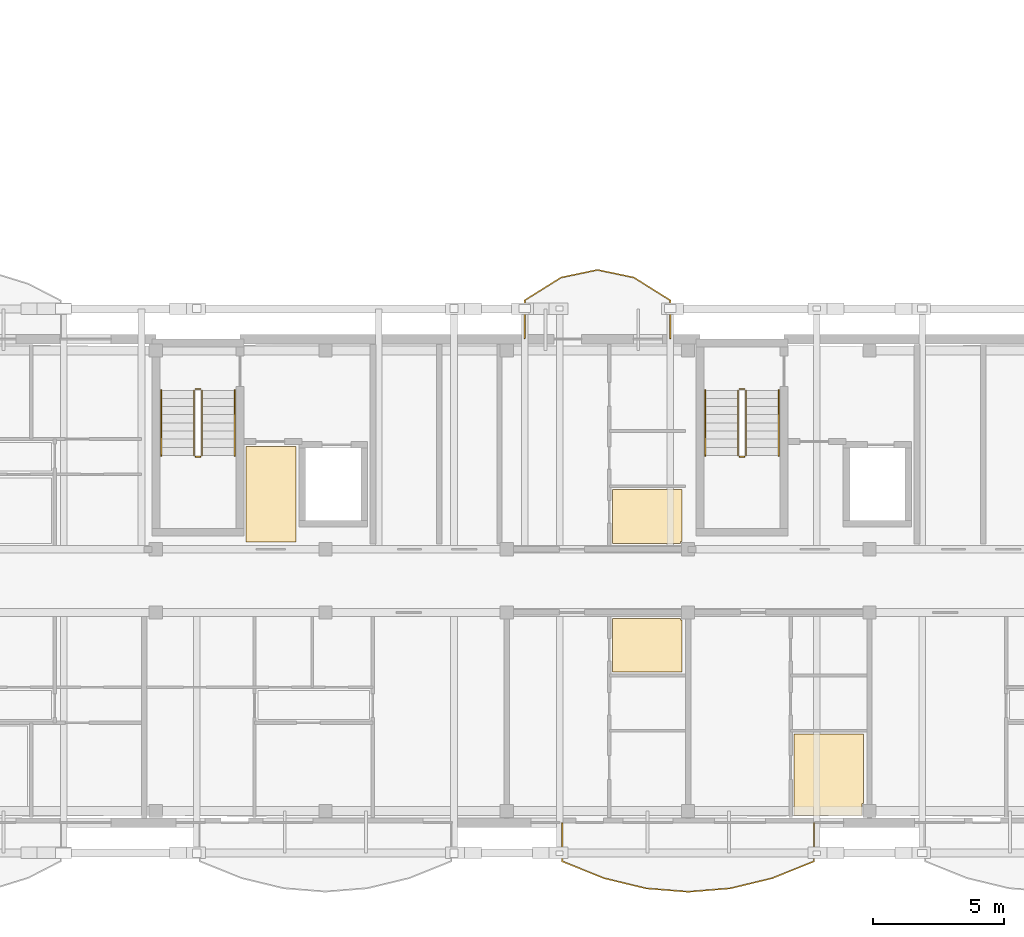
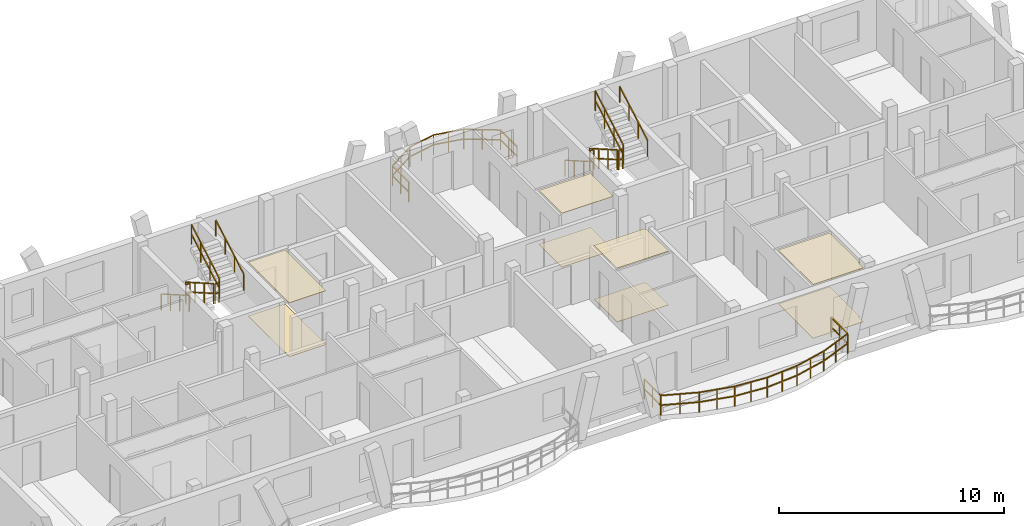
# One storey, part 47 of 50: 14 railings, 8 coverings.
"""IFC4 building model written with IfcOpenShell, lengths in metres."""

from ifc_helpers import new_model, si_unit, direction, frame, origin, origin_2d, place, context, subcontext, project, spatial, polyline, rectangle, outline, extrude, material, layer, layer_set, type_object, element, save


model = new_model("IFC4")

# Units and contexts
model_context = context("Model", 3, precision=1e-05, world=origin(), true_north=direction((0.0, 1.0)))
body_context = subcontext(model_context, "Body", "Model", "MODEL_VIEW")
ifc_project = project(units=[si_unit("LENGTHUNIT", "METRE"), si_unit("AREAUNIT", "SQUARE_METRE"), si_unit("VOLUMEUNIT", "CUBIC_METRE"), si_unit("PLANEANGLEUNIT", "RADIAN"), si_unit("MASSUNIT", "GRAM", prefix="KILO")], contexts=[model_context])

# Site, building, storey
site_placement = place(None, origin())
site = spatial("IfcSite", under=ifc_project, at=site_placement, CompositionType="ELEMENT")
building_placement = place(site_placement, origin())
building = spatial("IfcBuilding", under=site, at=building_placement, Name="Zavelmont Quarter", CompositionType="ELEMENT")
storey_placement = place(building_placement, frame((0.0, 0.0, 11.199951171875)))
storey = spatial("IfcBuildingStorey", under=building, at=storey_placement, Name="L03", CompositionType="ELEMENT", Elevation=11.199951171875)

# Coverings
ifc_material_1 = material(Name="Perforated acoustic gypsum board")
ifc_layer_1 = layer(ifc_material_1, 0.02490234375)
ifc_layer_set_1 = layer_set([ifc_layer_1], Name="Perforated acoustic gypsum board")
covering_type_1 = type_object("IfcCoveringType", Name="CV-CL01", PredefinedType="CEILING", material=ifc_layer_set_1)
covering_1_placement = place(storey_placement, frame((0.0, 0.0, 2.9150390625)))
element("IfcCovering", 1, at=covering_1_placement, inside=storey, type_object=covering_type_1, Name="L03 Lobby Vestibule acoustic ceiling", PredefinedType="CEILING", context=body_context, shape_type="SweptSolid", body=[
    extrude(outline(polyline([(130.47998046875, 14.320068359375), (132.3701171875, 14.320068359375), (132.3701171875, 10.679931640625), (130.47998046875, 10.679931640625), (130.47998046875, 14.320068359375)])), origin(), (0.0, 0.0, 1.0), 0.02490234375),
])
covering_2_placement = place(storey_placement, frame((0.0, 0.0, 2.9150390625)))
element("IfcCovering", 2, at=covering_2_placement, inside=storey, type_object=covering_type_1, Name="L03 Kitchen acoustic ceiling", PredefinedType="CEILING", context=body_context, shape_type="SweptSolid", body=[
    extrude(outline(polyline([(144.429931640625, 7.77001953125), (147.010009765625, 7.77001953125), (147.010009765625, 7.7099609375), (147.070068359375, 7.7099609375), (147.070068359375, 5.72998046875), (144.429931640625, 5.72998046875), (144.429931640625, 7.77001953125)])), origin(), (0.0, 0.0, 1.0), 0.02490234375),
])
covering_3_placement = place(storey_placement, frame((0.0, 0.0, 2.9150390625)))
element("IfcCovering", 3, at=covering_3_placement, inside=storey, type_object=covering_type_1, Name="L03 Single Bedroom acoustic ceiling", PredefinedType="CEILING", context=body_context, shape_type="SweptSolid", body=[
    extrude(outline(polyline([(151.330078125, 3.3701171875), (153.969970703125, 3.3701171875), (153.969970703125, 0.72998046875), (153.909912109375, 0.72998046875), (153.909912109375, 0.280029296875), (151.330078125, 0.280029296875), (151.330078125, 3.3701171875)])), origin(), (0.0, 0.0, 1.0), 0.02490234375),
])
covering_4_placement = place(storey_placement, frame((0.0, 0.0, 2.9150390625)))
element("IfcCovering", 4, at=covering_4_placement, inside=storey, type_object=covering_type_1, Name="L03 Kitchen acoustic ceiling", PredefinedType="CEILING", context=body_context, shape_type="SweptSolid", body=[
    extrude(outline(polyline([(144.429931640625, 12.669921875), (147.070068359375, 12.669921875), (147.070068359375, 10.68994140625), (147.010009765625, 10.68994140625), (147.010009765625, 10.6298828125), (144.429931640625, 10.6298828125), (144.429931640625, 12.669921875)])), origin(), (0.0, 0.0, 1.0), 0.02490234375),
])
ifc_material_2 = material(Name="Engineered European oak parquet")
ifc_layer_2 = layer(ifc_material_2, 0.02197265625)
ifc_layer_set_2 = layer_set([ifc_layer_2], Name="Engineered European oak parquet")
covering_type_2 = type_object("IfcCoveringType", Name="CV-FL01", PredefinedType="FLOORING", material=ifc_layer_set_2)
covering_5_placement = place(storey_placement, origin())
element("IfcCovering", 5, at=covering_5_placement, inside=storey, type_object=covering_type_2, Name="L03 Lobby Vestibule floor finish", PredefinedType="FLOORING", context=body_context, shape_type="SweptSolid", body=[
    extrude(outline(polyline([(130.47998046875, 14.320068359375), (132.3701171875, 14.320068359375), (132.3701171875, 10.679931640625), (130.47998046875, 10.679931640625), (130.47998046875, 14.320068359375)])), origin(), (0.0, 0.0, 1.0), 0.02197265625),
])
covering_6_placement = place(storey_placement, origin())
element("IfcCovering", 6, at=covering_6_placement, inside=storey, type_object=covering_type_2, Name="L03 Kitchen floor finish", PredefinedType="FLOORING", context=body_context, shape_type="SweptSolid", body=[
    extrude(outline(polyline([(144.429931640625, 7.77001953125), (147.010009765625, 7.77001953125), (147.010009765625, 7.7099609375), (147.070068359375, 7.7099609375), (147.070068359375, 5.72998046875), (144.429931640625, 5.72998046875), (144.429931640625, 7.77001953125)])), origin(), (0.0, 0.0, 1.0), 0.02197265625),
])
covering_7_placement = place(storey_placement, origin())
element("IfcCovering", 7, at=covering_7_placement, inside=storey, type_object=covering_type_2, Name="L03 Single Bedroom floor finish", PredefinedType="FLOORING", context=body_context, shape_type="SweptSolid", body=[
    extrude(outline(polyline([(151.330078125, 3.3701171875), (153.969970703125, 3.3701171875), (153.969970703125, 0.72998046875), (153.909912109375, 0.72998046875), (153.909912109375, 0.280029296875), (151.330078125, 0.280029296875), (151.330078125, 3.3701171875)])), origin(), (0.0, 0.0, 1.0), 0.02197265625),
])
covering_8_placement = place(storey_placement, origin())
element("IfcCovering", 8, at=covering_8_placement, inside=storey, type_object=covering_type_2, Name="L03 Kitchen floor finish", PredefinedType="FLOORING", context=body_context, shape_type="SweptSolid", body=[
    extrude(outline(polyline([(144.429931640625, 12.669921875), (147.070068359375, 12.669921875), (147.070068359375, 10.68994140625), (147.010009765625, 10.68994140625), (147.010009765625, 10.6298828125), (144.429931640625, 10.6298828125), (144.429931640625, 12.669921875)])), origin(), (0.0, 0.0, 1.0), 0.02197265625),
])

# Railings
ifc_material_3 = material(Name="Powder-coated steel and tempered double safety glass", Category="steel")
railing_type_1 = type_object("IfcRailingType", Name="RL-BAL1", PredefinedType="BALUSTRADE", material=ifc_material_3)
railing_1_placement = place(storey_placement, frame((142.5078125, -0.02001953125, 0.0)))
element("IfcRailing", 9, at=railing_1_placement, inside=storey, type_object=railing_type_1, Name="L03 Block D curved balcony guard RL-BAL1", PredefinedType="BALUSTRADE", context=body_context, shape_type="SweptSolid", body=[
    extrude(rectangle(XDim=0.048095703125, YDim=0.048095703125, at=origin_2d()), frame((0.0, 0.0, 1.076171875), z_axis=(0.0, -1.0, 0.0), x_axis=(1.0, 0.0, 0.0)), (0.0, 0.0, 1.0), 1.453857421875),
    extrude(rectangle(XDim=0.048095703125, YDim=0.048095703125, at=origin_2d()), frame((0.0, 0.0, 0.550048828125), z_axis=(0.0, -1.0, 0.0), x_axis=(1.0, 0.0, 0.0)), (0.0, 0.0, 1.0), 1.453857421875),
    extrude(rectangle(XDim=0.048095703125, YDim=0.048095703125, at=origin_2d()), frame((0.0, -1.453857421875, 1.076171875), z_axis=(0.92758417707, -0.373614232128, 0.0), x_axis=(0.373614232128, 0.92758417707, 0.0)), (0.0, 0.0, 1.0), 1.721923828125),
    extrude(rectangle(XDim=0.048095703125, YDim=0.048095703125, at=origin_2d()), frame((0.0, -1.453857421875, 0.550048828125), z_axis=(0.92758417707, -0.373614232128, 0.0), x_axis=(0.373614232128, 0.92758417707, 0.0)), (0.0, 0.0, 1.0), 1.721923828125),
    extrude(rectangle(XDim=0.048095703125, YDim=0.048095703125, at=origin_2d()), frame((1.59716796875, -2.09716796875, 1.076171875), z_axis=(0.972000372905, -0.234979307753, 0.0), x_axis=(0.234979307753, 0.972000372905, 0.0)), (0.0, 0.0, 1.0), 1.643798828125),
    extrude(rectangle(XDim=0.048095703125, YDim=0.048095703125, at=origin_2d()), frame((1.59716796875, -2.09716796875, 0.550048828125), z_axis=(0.972000372905, -0.234979307753, 0.0), x_axis=(0.234979307753, 0.972000372905, 0.0)), (0.0, 0.0, 1.0), 1.643798828125),
    extrude(rectangle(XDim=0.048095703125, YDim=0.048095703125, at=origin_2d()), frame((3.19482421875, -2.4833984375, 1.076171875), z_axis=(0.996772021854, -0.080284098352, 0.0), x_axis=(0.080284098352, 0.996772021854, 0.0)), (0.0, 0.0, 1.0), 1.6025390625),
    extrude(rectangle(XDim=0.048095703125, YDim=0.048095703125, at=origin_2d()), frame((3.19482421875, -2.4833984375, 0.550048828125), z_axis=(0.996772021854, -0.080284098352, 0.0), x_axis=(0.080284098352, 0.996772021854, 0.0)), (0.0, 0.0, 1.0), 1.6025390625),
    extrude(rectangle(XDim=0.048095703125, YDim=0.048095703125, at=origin_2d()), frame((4.792236328125, -2.612060546875, 1.076171875), z_axis=(0.996772021854, 0.080284098352, 0.0), x_axis=(-0.080284098352, 0.996772021854, 0.0)), (0.0, 0.0, 1.0), 1.6025390625),
    extrude(rectangle(XDim=0.048095703125, YDim=0.048095703125, at=origin_2d()), frame((4.792236328125, -2.612060546875, 0.550048828125), z_axis=(0.996772021854, 0.080284098352, 0.0), x_axis=(-0.080284098352, 0.996772021854, 0.0)), (0.0, 0.0, 1.0), 1.6025390625),
    extrude(rectangle(XDim=0.048095703125, YDim=0.048095703125, at=origin_2d()), frame((6.3896484375, -2.4833984375, 1.076171875), z_axis=(0.971992169835, 0.235013237457, 0.0), x_axis=(-0.235013237457, 0.971992169835, 0.0)), (0.0, 0.0, 1.0), 1.6435546875),
    extrude(rectangle(XDim=0.048095703125, YDim=0.048095703125, at=origin_2d()), frame((6.3896484375, -2.4833984375, 0.550048828125), z_axis=(0.971992169835, 0.235013237457, 0.0), x_axis=(-0.235013237457, 0.971992169835, 0.0)), (0.0, 0.0, 1.0), 1.6435546875),
    extrude(rectangle(XDim=0.048095703125, YDim=0.048095703125, at=origin_2d()), frame((7.987060546875, -2.09716796875, 1.076171875), z_axis=(0.927603965163, 0.373565099833, 0.0), x_axis=(-0.373565099833, 0.927603965163, 0.0)), (0.0, 0.0, 1.0), 1.72216796875),
    extrude(rectangle(XDim=0.048095703125, YDim=0.048095703125, at=origin_2d()), frame((7.987060546875, -2.09716796875, 0.550048828125), z_axis=(0.927603965163, 0.373565099833, 0.0), x_axis=(-0.373565099833, 0.927603965163, 0.0)), (0.0, 0.0, 1.0), 1.72216796875),
    extrude(rectangle(XDim=0.048095703125, YDim=0.048095703125, at=origin_2d()), frame((9.58447265625, -1.453857421875, 1.076171875), z_axis=(0.0, 1.0, 0.0), x_axis=(-1.0, 0.0, 0.0)), (0.0, 0.0, 1.0), 1.453857421875),
    extrude(rectangle(XDim=0.048095703125, YDim=0.048095703125, at=origin_2d()), frame((9.58447265625, -1.453857421875, 0.550048828125), z_axis=(0.0, 1.0, 0.0), x_axis=(-1.0, 0.0, 0.0)), (0.0, 0.0, 1.0), 1.453857421875),
    extrude(rectangle(XDim=0.0419921875, YDim=0.0419921875, at=origin_2d()), origin(), (0.0, 0.0, 1.0), 1.052001953125),
    extrude(rectangle(XDim=0.0419921875, YDim=0.0419921875, at=origin_2d()), frame((0.0, -0.72705078125, 0.0)), (0.0, 0.0, 1.0), 1.052001953125),
    extrude(rectangle(XDim=0.0419921875, YDim=0.0419921875, at=origin_2d()), frame((0.0, -1.453857421875, 0.0)), (0.0, 0.0, 1.0), 1.052001953125),
    extrude(rectangle(XDim=0.0419921875, YDim=0.0419921875, at=origin_2d()), frame((0.798583984375, -1.775390625, 0.0)), (0.0, 0.0, 1.0), 1.052001953125),
    extrude(rectangle(XDim=0.0419921875, YDim=0.0419921875, at=origin_2d()), frame((1.59716796875, -2.09716796875, 0.0)), (0.0, 0.0, 1.0), 1.052001953125),
    extrude(rectangle(XDim=0.0419921875, YDim=0.0419921875, at=origin_2d()), frame((2.39599609375, -2.290283203125, 0.0)), (0.0, 0.0, 1.0), 1.052001953125),
    extrude(rectangle(XDim=0.0419921875, YDim=0.0419921875, at=origin_2d()), frame((3.19482421875, -2.4833984375, 0.0)), (0.0, 0.0, 1.0), 1.052001953125),
    extrude(rectangle(XDim=0.0419921875, YDim=0.0419921875, at=origin_2d()), frame((3.99365234375, -2.5478515625, 0.0)), (0.0, 0.0, 1.0), 1.052001953125),
    extrude(rectangle(XDim=0.0419921875, YDim=0.0419921875, at=origin_2d()), frame((4.792236328125, -2.612060546875, 0.0)), (0.0, 0.0, 1.0), 1.052001953125),
    extrude(rectangle(XDim=0.0419921875, YDim=0.0419921875, at=origin_2d()), frame((5.5908203125, -2.5478515625, 0.0)), (0.0, 0.0, 1.0), 1.052001953125),
    extrude(rectangle(XDim=0.0419921875, YDim=0.0419921875, at=origin_2d()), frame((6.3896484375, -2.4833984375, 0.0)), (0.0, 0.0, 1.0), 1.052001953125),
    extrude(rectangle(XDim=0.0419921875, YDim=0.0419921875, at=origin_2d()), frame((7.1884765625, -2.290283203125, 0.0)), (0.0, 0.0, 1.0), 1.052001953125),
    extrude(rectangle(XDim=0.0419921875, YDim=0.0419921875, at=origin_2d()), frame((7.987060546875, -2.09716796875, 0.0)), (0.0, 0.0, 1.0), 1.052001953125),
    extrude(rectangle(XDim=0.0419921875, YDim=0.0419921875, at=origin_2d()), frame((8.78564453125, -1.775390625, 0.0)), (0.0, 0.0, 1.0), 1.052001953125),
    extrude(rectangle(XDim=0.0419921875, YDim=0.0419921875, at=origin_2d()), frame((9.58447265625, -1.453857421875, 0.0)), (0.0, 0.0, 1.0), 1.052001953125),
    extrude(rectangle(XDim=0.0419921875, YDim=0.0419921875, at=origin_2d()), frame((9.58447265625, -0.72705078125, 0.0)), (0.0, 0.0, 1.0), 1.052001953125),
    extrude(rectangle(XDim=0.0419921875, YDim=0.0419921875, at=origin_2d()), frame((9.58447265625, 0.0, 0.0)), (0.0, 0.0, 1.0), 1.052001953125),
])
railing_2_placement = place(storey_placement, frame((146.620849609375, 18.419921875, 0.0)))
element("IfcRailing", 10, at=railing_2_placement, inside=storey, type_object=railing_type_1, Name="L03 Block D curved balcony guard RL-BAL1", PredefinedType="BALUSTRADE", context=body_context, shape_type="SweptSolid", body=[
    extrude(rectangle(XDim=0.048095703125, YDim=0.048095703125, at=origin_2d()), frame((0.0, 0.0, 1.076171875), z_axis=(0.0, 1.0, 0.0), x_axis=(-1.0, 0.0, 0.0)), (0.0, 0.0, 1.0), 1.453857421875),
    extrude(rectangle(XDim=0.048095703125, YDim=0.048095703125, at=origin_2d()), frame((0.0, 0.0, 0.550048828125), z_axis=(0.0, 1.0, 0.0), x_axis=(-1.0, 0.0, 0.0)), (0.0, 0.0, 1.0), 1.453857421875),
    extrude(rectangle(XDim=0.048095703125, YDim=0.048095703125, at=origin_2d()), frame((0.0, 1.453857421875, 1.076171875), z_axis=(-0.847250986265, 0.531192776939, 0.0), x_axis=(-0.531192776939, -0.847250986265, 0.0)), (0.0, 0.0, 1.0), 1.63525390625),
    extrude(rectangle(XDim=0.048095703125, YDim=0.048095703125, at=origin_2d()), frame((0.0, 1.453857421875, 0.550048828125), z_axis=(-0.847250986265, 0.531192776939, 0.0), x_axis=(-0.531192776939, -0.847250986265, 0.0)), (0.0, 0.0, 1.0), 1.63525390625),
    extrude(rectangle(XDim=0.048095703125, YDim=0.048095703125, at=origin_2d()), frame((-1.385498046875, 2.322509765625, 1.076171875), z_axis=(-0.978845294327, 0.204601783411, 0.0), x_axis=(-0.204601783411, -0.978845294327, 0.0)), (0.0, 0.0, 1.0), 1.415283203125),
    extrude(rectangle(XDim=0.048095703125, YDim=0.048095703125, at=origin_2d()), frame((-1.385498046875, 2.322509765625, 0.550048828125), z_axis=(-0.978845294327, 0.204601783411, 0.0), x_axis=(-0.204601783411, -0.978845294327, 0.0)), (0.0, 0.0, 1.0), 1.415283203125),
    extrude(rectangle(XDim=0.048095703125, YDim=0.048095703125, at=origin_2d()), frame((-2.770751953125, 2.612060546875, 1.076171875), z_axis=(-0.978852514266, -0.204567239105, 0.0), x_axis=(0.204567239105, -0.978852514266, 0.0)), (0.0, 0.0, 1.0), 1.41552734375),
    extrude(rectangle(XDim=0.048095703125, YDim=0.048095703125, at=origin_2d()), frame((-2.770751953125, 2.612060546875, 0.550048828125), z_axis=(-0.978852514266, -0.204567239105, 0.0), x_axis=(0.204567239105, -0.978852514266, 0.0)), (0.0, 0.0, 1.0), 1.41552734375),
    extrude(rectangle(XDim=0.048095703125, YDim=0.048095703125, at=origin_2d()), frame((-4.15625, 2.322509765625, 1.076171875), z_axis=(-0.847250986265, -0.531192776939, 0.0), x_axis=(0.531192776939, -0.847250986265, 0.0)), (0.0, 0.0, 1.0), 1.63525390625),
    extrude(rectangle(XDim=0.048095703125, YDim=0.048095703125, at=origin_2d()), frame((-4.15625, 2.322509765625, 0.550048828125), z_axis=(-0.847250986265, -0.531192776939, 0.0), x_axis=(0.531192776939, -0.847250986265, 0.0)), (0.0, 0.0, 1.0), 1.63525390625),
    extrude(rectangle(XDim=0.048095703125, YDim=0.048095703125, at=origin_2d()), frame((-5.541748046875, 1.453857421875, 1.076171875), z_axis=(0.0, -1.0, 0.0), x_axis=(1.0, 0.0, 0.0)), (0.0, 0.0, 1.0), 1.453857421875),
    extrude(rectangle(XDim=0.048095703125, YDim=0.048095703125, at=origin_2d()), frame((-5.541748046875, 1.453857421875, 0.550048828125), z_axis=(0.0, -1.0, 0.0), x_axis=(1.0, 0.0, 0.0)), (0.0, 0.0, 1.0), 1.453857421875),
    extrude(rectangle(XDim=0.0419921875, YDim=0.0419921875, at=origin_2d()), origin(), (0.0, 0.0, 1.0), 1.052001953125),
    extrude(rectangle(XDim=0.0419921875, YDim=0.0419921875, at=origin_2d()), frame((0.0, 0.72705078125, 0.0)), (0.0, 0.0, 1.0), 1.052001953125),
    extrude(rectangle(XDim=0.0419921875, YDim=0.0419921875, at=origin_2d()), frame((0.0, 1.453857421875, 0.0)), (0.0, 0.0, 1.0), 1.052001953125),
    extrude(rectangle(XDim=0.0419921875, YDim=0.0419921875, at=origin_2d()), frame((-0.69287109375, 1.88818359375, 0.0)), (0.0, 0.0, 1.0), 1.052001953125),
    extrude(rectangle(XDim=0.0419921875, YDim=0.0419921875, at=origin_2d()), frame((-1.385498046875, 2.322509765625, 0.0)), (0.0, 0.0, 1.0), 1.052001953125),
    extrude(rectangle(XDim=0.0419921875, YDim=0.0419921875, at=origin_2d()), frame((-2.078125, 2.46728515625, 0.0)), (0.0, 0.0, 1.0), 1.052001953125),
    extrude(rectangle(XDim=0.0419921875, YDim=0.0419921875, at=origin_2d()), frame((-2.770751953125, 2.612060546875, 0.0)), (0.0, 0.0, 1.0), 1.052001953125),
    extrude(rectangle(XDim=0.0419921875, YDim=0.0419921875, at=origin_2d()), frame((-3.46337890625, 2.46728515625, 0.0)), (0.0, 0.0, 1.0), 1.052001953125),
    extrude(rectangle(XDim=0.0419921875, YDim=0.0419921875, at=origin_2d()), frame((-4.15625, 2.322509765625, 0.0)), (0.0, 0.0, 1.0), 1.052001953125),
    extrude(rectangle(XDim=0.0419921875, YDim=0.0419921875, at=origin_2d()), frame((-4.84912109375, 1.88818359375, 0.0)), (0.0, 0.0, 1.0), 1.052001953125),
    extrude(rectangle(XDim=0.0419921875, YDim=0.0419921875, at=origin_2d()), frame((-5.541748046875, 1.453857421875, 0.0)), (0.0, 0.0, 1.0), 1.052001953125),
    extrude(rectangle(XDim=0.0419921875, YDim=0.0419921875, at=origin_2d()), frame((-5.541748046875, 0.72705078125, 0.0)), (0.0, 0.0, 1.0), 1.052001953125),
    extrude(rectangle(XDim=0.0419921875, YDim=0.0419921875, at=origin_2d()), frame((-5.541748046875, 0.0, 0.0)), (0.0, 0.0, 1.0), 1.052001953125),
])
ifc_material_4 = material(Name="Powder-coated steel stair guardrail", Category="steel")
railing_type_2 = type_object("IfcRailingType", Name="RL-GRD1", PredefinedType="GUARDRAIL", material=ifc_material_4)
railing_3_placement = place(storey_placement, frame((128.5, 16.449951171875, 0.177734375)))
element("IfcRailing", 11, at=railing_3_placement, inside=storey, type_object=railing_type_2, Name="L03 ST07 stair guardrail 1", PredefinedType="GUARDRAIL", context=body_context, shape_type="SweptSolid", body=[
    extrude(rectangle(XDim=0.048095703125, YDim=0.048095703125, at=origin_2d()), frame((0.0, 0.0, 1.076171875), z_axis=(0.0, -0.867453774394, 0.497517787913), x_axis=(1.0, 0.0, 0.0)), (0.0, 0.0, 1.0), 2.85888671875),
    extrude(rectangle(XDim=0.048095703125, YDim=0.048095703125, at=origin_2d()), frame((0.0, 0.0, 0.550048828125), z_axis=(0.0, -0.867453774394, 0.497517787913), x_axis=(1.0, 0.0, 0.0)), (0.0, 0.0, 1.0), 2.85888671875),
    extrude(rectangle(XDim=0.0419921875, YDim=0.0419921875, at=origin_2d()), origin(), (0.0, 0.0, 1.0), 1.052001953125),
    extrude(rectangle(XDim=0.0419921875, YDim=0.0419921875, at=origin_2d()), frame((0.0, -0.82666015625, 0.47412109375)), (0.0, 0.0, 1.0), 1.052001953125),
    extrude(rectangle(XDim=0.0419921875, YDim=0.0419921875, at=origin_2d()), frame((0.0, -1.6533203125, 0.9482421875)), (0.0, 0.0, 1.0), 1.052001953125),
    extrude(rectangle(XDim=0.0419921875, YDim=0.0419921875, at=origin_2d()), frame((0.0, -2.47998046875, 1.42236328125)), (0.0, 0.0, 1.0), 1.052001953125),
])
railing_4_placement = place(storey_placement, frame((128.550048828125, 13.919921875, 1.60009765625)))
element("IfcRailing", 12, at=railing_4_placement, inside=storey, type_object=railing_type_2, Name="L03 ST07 stair guardrail 2", PredefinedType="GUARDRAIL", context=body_context, shape_type="SweptSolid", body=[
    extrude(rectangle(XDim=0.048095703125, YDim=0.048095703125, at=origin_2d()), frame((0.0, 0.0, 1.076171875), z_axis=(1.0, 0.0, 0.0), x_axis=(0.0, 1.0, 0.0)), (0.0, 0.0, 1.0), 0.199951171875),
    extrude(rectangle(XDim=0.048095703125, YDim=0.048095703125, at=origin_2d()), frame((0.0, 0.0, 0.550048828125), z_axis=(1.0, 0.0, 0.0), x_axis=(0.0, 1.0, 0.0)), (0.0, 0.0, 1.0), 0.199951171875),
    extrude(rectangle(XDim=0.0419921875, YDim=0.0419921875, at=origin_2d()), origin(), (0.0, 0.0, 1.0), 1.052001953125),
    extrude(rectangle(XDim=0.0419921875, YDim=0.0419921875, at=origin_2d()), frame((0.199951171875, 0.0, 0.0)), (0.0, 0.0, 1.0), 1.052001953125),
])
railing_5_placement = place(storey_placement, frame((128.800048828125, 13.969970703125, 1.77783203125)))
element("IfcRailing", 13, at=railing_5_placement, inside=storey, type_object=railing_type_2, Name="L03 ST07 stair guardrail 3", PredefinedType="GUARDRAIL", context=body_context, shape_type="SweptSolid", body=[
    extrude(rectangle(XDim=0.048095703125, YDim=0.048095703125, at=origin_2d()), frame((0.0, 0.0, 1.076171875), z_axis=(0.0, 0.867490628297, 0.497453525283), x_axis=(-1.0, 0.0, 0.0)), (0.0, 0.0, 1.0), 2.85888671875),
    extrude(rectangle(XDim=0.048095703125, YDim=0.048095703125, at=origin_2d()), frame((0.0, 0.0, 0.550048828125), z_axis=(0.0, 0.867490628297, 0.497453525283), x_axis=(-1.0, 0.0, 0.0)), (0.0, 0.0, 1.0), 2.85888671875),
    extrude(rectangle(XDim=0.0419921875, YDim=0.0419921875, at=origin_2d()), origin(), (0.0, 0.0, 1.0), 1.052001953125),
    extrude(rectangle(XDim=0.0419921875, YDim=0.0419921875, at=origin_2d()), frame((0.0, 0.82666015625, 0.47412109375)), (0.0, 0.0, 1.0), 1.052001953125),
    extrude(rectangle(XDim=0.0419921875, YDim=0.0419921875, at=origin_2d()), frame((0.0, 1.6533203125, 0.947998046875)), (0.0, 0.0, 1.0), 1.052001953125),
    extrude(rectangle(XDim=0.0419921875, YDim=0.0419921875, at=origin_2d()), frame((0.0, 2.47998046875, 1.422119140625)), (0.0, 0.0, 1.0), 1.052001953125),
])
railing_6_placement = place(storey_placement, frame((128.550048828125, 16.5, 0.0)))
element("IfcRailing", 14, at=railing_6_placement, inside=storey, type_object=railing_type_2, Name="L03 ST07 stair guardrail 4", PredefinedType="GUARDRAIL", context=body_context, shape_type="SweptSolid", body=[
    extrude(rectangle(XDim=0.048095703125, YDim=0.048095703125, at=origin_2d()), frame((0.0, 0.0, 1.076171875), z_axis=(1.0, 0.0, 0.0), x_axis=(0.0, 1.0, 0.0)), (0.0, 0.0, 1.0), 0.199951171875),
    extrude(rectangle(XDim=0.048095703125, YDim=0.048095703125, at=origin_2d()), frame((0.0, 0.0, 0.550048828125), z_axis=(1.0, 0.0, 0.0), x_axis=(0.0, 1.0, 0.0)), (0.0, 0.0, 1.0), 0.199951171875),
    extrude(rectangle(XDim=0.0419921875, YDim=0.0419921875, at=origin_2d()), origin(), (0.0, 0.0, 1.0), 1.052001953125),
    extrude(rectangle(XDim=0.0419921875, YDim=0.0419921875, at=origin_2d()), frame((0.199951171875, 0.0, 0.0)), (0.0, 0.0, 1.0), 1.052001953125),
])
railing_7_placement = place(storey_placement, frame((149.199951171875, 16.449951171875, 0.177734375)))
element("IfcRailing", 15, at=railing_7_placement, inside=storey, type_object=railing_type_2, Name="L03 ST08 stair guardrail 1", PredefinedType="GUARDRAIL", context=body_context, shape_type="SweptSolid", body=[
    extrude(rectangle(XDim=0.048095703125, YDim=0.048095703125, at=origin_2d()), frame((0.0, 0.0, 1.076171875), z_axis=(0.0, -0.867453774394, 0.497517787913), x_axis=(1.0, 0.0, 0.0)), (0.0, 0.0, 1.0), 2.85888671875),
    extrude(rectangle(XDim=0.048095703125, YDim=0.048095703125, at=origin_2d()), frame((0.0, 0.0, 0.550048828125), z_axis=(0.0, -0.867453774394, 0.497517787913), x_axis=(1.0, 0.0, 0.0)), (0.0, 0.0, 1.0), 2.85888671875),
    extrude(rectangle(XDim=0.0419921875, YDim=0.0419921875, at=origin_2d()), origin(), (0.0, 0.0, 1.0), 1.052001953125),
    extrude(rectangle(XDim=0.0419921875, YDim=0.0419921875, at=origin_2d()), frame((0.0, -0.82666015625, 0.47412109375)), (0.0, 0.0, 1.0), 1.052001953125),
    extrude(rectangle(XDim=0.0419921875, YDim=0.0419921875, at=origin_2d()), frame((0.0, -1.6533203125, 0.9482421875)), (0.0, 0.0, 1.0), 1.052001953125),
    extrude(rectangle(XDim=0.0419921875, YDim=0.0419921875, at=origin_2d()), frame((0.0, -2.47998046875, 1.42236328125)), (0.0, 0.0, 1.0), 1.052001953125),
])
railing_8_placement = place(storey_placement, frame((149.25, 13.919921875, 1.60009765625)))
element("IfcRailing", 16, at=railing_8_placement, inside=storey, type_object=railing_type_2, Name="L03 ST08 stair guardrail 2", PredefinedType="GUARDRAIL", context=body_context, shape_type="SweptSolid", body=[
    extrude(rectangle(XDim=0.048095703125, YDim=0.048095703125, at=origin_2d()), frame((0.0, 0.0, 1.076171875), z_axis=(1.0, 0.0, 0.0), x_axis=(0.0, 1.0, 0.0)), (0.0, 0.0, 1.0), 0.199951171875),
    extrude(rectangle(XDim=0.048095703125, YDim=0.048095703125, at=origin_2d()), frame((0.0, 0.0, 0.550048828125), z_axis=(1.0, 0.0, 0.0), x_axis=(0.0, 1.0, 0.0)), (0.0, 0.0, 1.0), 0.199951171875),
    extrude(rectangle(XDim=0.0419921875, YDim=0.0419921875, at=origin_2d()), origin(), (0.0, 0.0, 1.0), 1.052001953125),
    extrude(rectangle(XDim=0.0419921875, YDim=0.0419921875, at=origin_2d()), frame((0.199951171875, 0.0, 0.0)), (0.0, 0.0, 1.0), 1.052001953125),
])
railing_9_placement = place(storey_placement, frame((149.5, 13.969970703125, 1.77783203125)))
element("IfcRailing", 17, at=railing_9_placement, inside=storey, type_object=railing_type_2, Name="L03 ST08 stair guardrail 3", PredefinedType="GUARDRAIL", context=body_context, shape_type="SweptSolid", body=[
    extrude(rectangle(XDim=0.048095703125, YDim=0.048095703125, at=origin_2d()), frame((0.0, 0.0, 1.076171875), z_axis=(0.0, 0.867490628297, 0.497453525283), x_axis=(-1.0, 0.0, 0.0)), (0.0, 0.0, 1.0), 2.85888671875),
    extrude(rectangle(XDim=0.048095703125, YDim=0.048095703125, at=origin_2d()), frame((0.0, 0.0, 0.550048828125), z_axis=(0.0, 0.867490628297, 0.497453525283), x_axis=(-1.0, 0.0, 0.0)), (0.0, 0.0, 1.0), 2.85888671875),
    extrude(rectangle(XDim=0.0419921875, YDim=0.0419921875, at=origin_2d()), origin(), (0.0, 0.0, 1.0), 1.052001953125),
    extrude(rectangle(XDim=0.0419921875, YDim=0.0419921875, at=origin_2d()), frame((0.0, 0.82666015625, 0.47412109375)), (0.0, 0.0, 1.0), 1.052001953125),
    extrude(rectangle(XDim=0.0419921875, YDim=0.0419921875, at=origin_2d()), frame((0.0, 1.6533203125, 0.947998046875)), (0.0, 0.0, 1.0), 1.052001953125),
    extrude(rectangle(XDim=0.0419921875, YDim=0.0419921875, at=origin_2d()), frame((0.0, 2.47998046875, 1.422119140625)), (0.0, 0.0, 1.0), 1.052001953125),
])
railing_10_placement = place(storey_placement, frame((149.25, 16.5, 0.0)))
element("IfcRailing", 18, at=railing_10_placement, inside=storey, type_object=railing_type_2, Name="L03 ST08 stair guardrail 4", PredefinedType="GUARDRAIL", context=body_context, shape_type="SweptSolid", body=[
    extrude(rectangle(XDim=0.048095703125, YDim=0.048095703125, at=origin_2d()), frame((0.0, 0.0, 1.076171875), z_axis=(1.0, 0.0, 0.0), x_axis=(0.0, 1.0, 0.0)), (0.0, 0.0, 1.0), 0.199951171875),
    extrude(rectangle(XDim=0.048095703125, YDim=0.048095703125, at=origin_2d()), frame((0.0, 0.0, 0.550048828125), z_axis=(1.0, 0.0, 0.0), x_axis=(0.0, 1.0, 0.0)), (0.0, 0.0, 1.0), 0.199951171875),
    extrude(rectangle(XDim=0.0419921875, YDim=0.0419921875, at=origin_2d()), origin(), (0.0, 0.0, 1.0), 1.052001953125),
    extrude(rectangle(XDim=0.0419921875, YDim=0.0419921875, at=origin_2d()), frame((0.199951171875, 0.0, 0.0)), (0.0, 0.0, 1.0), 1.052001953125),
])
ifc_material_5 = material(Name="Brushed stainless-steel wall handrail", Category="steel")
railing_type_3 = type_object("IfcRailingType", Name="RL-HND1", PredefinedType="HANDRAIL", material=ifc_material_5)
railing_11_placement = place(storey_placement, frame((127.25, 16.449951171875, 0.177734375)))
element("IfcRailing", 19, at=railing_11_placement, inside=storey, type_object=railing_type_3, Name="L03 ST07 stair handrail 1", PredefinedType="HANDRAIL", context=body_context, shape_type="SweptSolid", body=[
    extrude(rectangle(XDim=0.048095703125, YDim=0.048095703125, at=origin_2d()), frame((0.0, 0.0, 0.8759765625), z_axis=(0.0, -0.867453774394, 0.497517787913), x_axis=(1.0, 0.0, 0.0)), (0.0, 0.0, 1.0), 2.85888671875),
    extrude(rectangle(XDim=0.0419921875, YDim=0.0419921875, at=origin_2d()), origin(), (0.0, 0.0, 1.0), 0.851806640625),
    extrude(rectangle(XDim=0.0419921875, YDim=0.0419921875, at=origin_2d()), frame((0.0, -0.82666015625, 0.47412109375)), (0.0, 0.0, 1.0), 0.851806640625),
    extrude(rectangle(XDim=0.0419921875, YDim=0.0419921875, at=origin_2d()), frame((0.0, -1.6533203125, 0.9482421875)), (0.0, 0.0, 1.0), 0.851806640625),
    extrude(rectangle(XDim=0.0419921875, YDim=0.0419921875, at=origin_2d()), frame((0.0, -2.47998046875, 1.42236328125)), (0.0, 0.0, 1.0), 0.851806640625),
])
railing_12_placement = place(storey_placement, frame((130.050048828125, 13.969970703125, 1.77783203125)))
element("IfcRailing", 20, at=railing_12_placement, inside=storey, type_object=railing_type_3, Name="L03 ST07 stair handrail 2", PredefinedType="HANDRAIL", context=body_context, shape_type="SweptSolid", body=[
    extrude(rectangle(XDim=0.048095703125, YDim=0.048095703125, at=origin_2d()), frame((0.0, 0.0, 0.8759765625), z_axis=(0.0, 0.867490628297, 0.497453525283), x_axis=(-1.0, 0.0, 0.0)), (0.0, 0.0, 1.0), 2.85888671875),
    extrude(rectangle(XDim=0.0419921875, YDim=0.0419921875, at=origin_2d()), origin(), (0.0, 0.0, 1.0), 0.851806640625),
    extrude(rectangle(XDim=0.0419921875, YDim=0.0419921875, at=origin_2d()), frame((0.0, 0.82666015625, 0.47412109375)), (0.0, 0.0, 1.0), 0.851806640625),
    extrude(rectangle(XDim=0.0419921875, YDim=0.0419921875, at=origin_2d()), frame((0.0, 1.6533203125, 0.947998046875)), (0.0, 0.0, 1.0), 0.851806640625),
    extrude(rectangle(XDim=0.0419921875, YDim=0.0419921875, at=origin_2d()), frame((0.0, 2.47998046875, 1.422119140625)), (0.0, 0.0, 1.0), 0.851806640625),
])
railing_13_placement = place(storey_placement, frame((147.949951171875, 16.449951171875, 0.177734375)))
element("IfcRailing", 21, at=railing_13_placement, inside=storey, type_object=railing_type_3, Name="L03 ST08 stair handrail 1", PredefinedType="HANDRAIL", context=body_context, shape_type="SweptSolid", body=[
    extrude(rectangle(XDim=0.048095703125, YDim=0.048095703125, at=origin_2d()), frame((0.0, 0.0, 0.8759765625), z_axis=(0.0, -0.867453774394, 0.497517787913), x_axis=(1.0, 0.0, 0.0)), (0.0, 0.0, 1.0), 2.85888671875),
    extrude(rectangle(XDim=0.0419921875, YDim=0.0419921875, at=origin_2d()), origin(), (0.0, 0.0, 1.0), 0.851806640625),
    extrude(rectangle(XDim=0.0419921875, YDim=0.0419921875, at=origin_2d()), frame((0.0, -0.82666015625, 0.47412109375)), (0.0, 0.0, 1.0), 0.851806640625),
    extrude(rectangle(XDim=0.0419921875, YDim=0.0419921875, at=origin_2d()), frame((0.0, -1.6533203125, 0.9482421875)), (0.0, 0.0, 1.0), 0.851806640625),
    extrude(rectangle(XDim=0.0419921875, YDim=0.0419921875, at=origin_2d()), frame((0.0, -2.47998046875, 1.42236328125)), (0.0, 0.0, 1.0), 0.851806640625),
])
railing_14_placement = place(storey_placement, frame((150.75, 13.969970703125, 1.77783203125)))
element("IfcRailing", 22, at=railing_14_placement, inside=storey, type_object=railing_type_3, Name="L03 ST08 stair handrail 2", PredefinedType="HANDRAIL", context=body_context, shape_type="SweptSolid", body=[
    extrude(rectangle(XDim=0.048095703125, YDim=0.048095703125, at=origin_2d()), frame((0.0, 0.0, 0.8759765625), z_axis=(0.0, 0.867490628297, 0.497453525283), x_axis=(-1.0, 0.0, 0.0)), (0.0, 0.0, 1.0), 2.85888671875),
    extrude(rectangle(XDim=0.0419921875, YDim=0.0419921875, at=origin_2d()), origin(), (0.0, 0.0, 1.0), 0.851806640625),
    extrude(rectangle(XDim=0.0419921875, YDim=0.0419921875, at=origin_2d()), frame((0.0, 0.82666015625, 0.47412109375)), (0.0, 0.0, 1.0), 0.851806640625),
    extrude(rectangle(XDim=0.0419921875, YDim=0.0419921875, at=origin_2d()), frame((0.0, 1.6533203125, 0.947998046875)), (0.0, 0.0, 1.0), 0.851806640625),
    extrude(rectangle(XDim=0.0419921875, YDim=0.0419921875, at=origin_2d()), frame((0.0, 2.47998046875, 1.422119140625)), (0.0, 0.0, 1.0), 0.851806640625),
])

save(model, "model.ifc")
